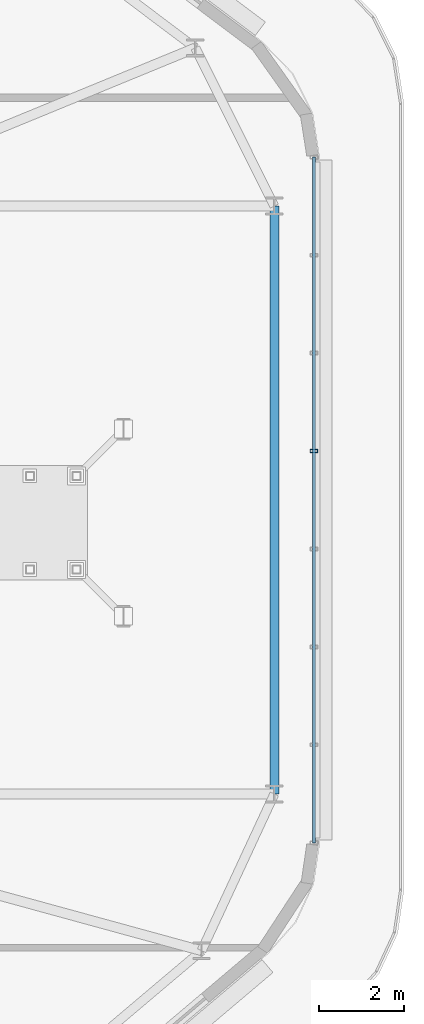
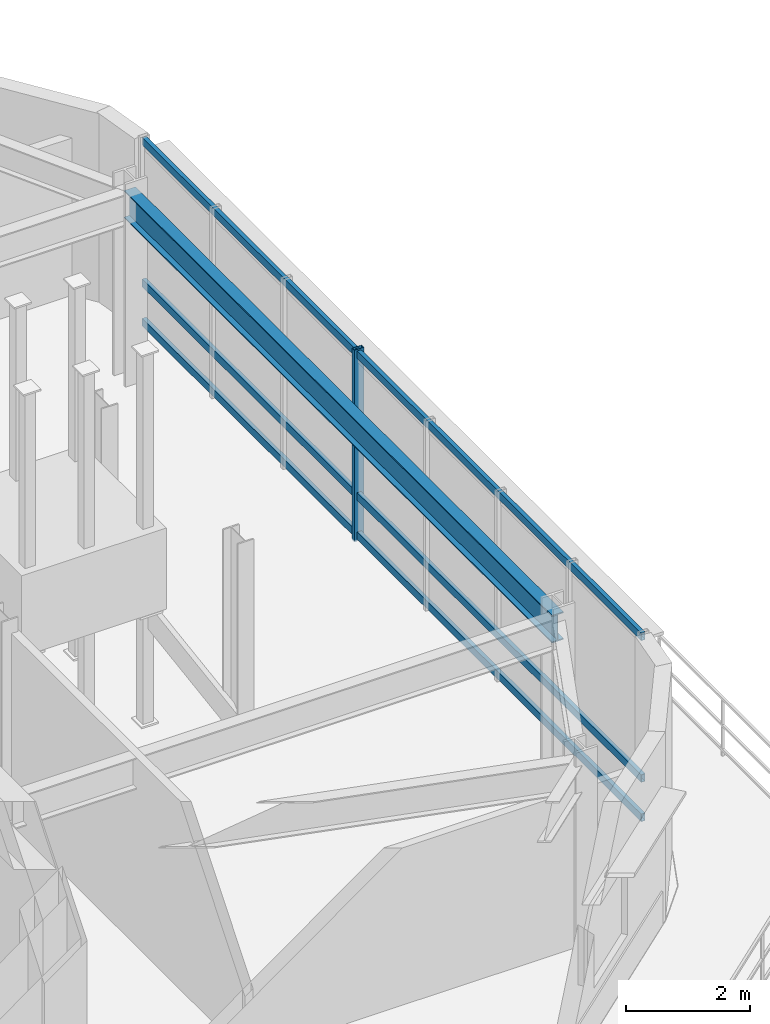
# One storey, part 3 of 13: 4 members, 1 beam, 1 element without a shape of its own.
"""IFC4 building model written with IfcOpenShell, lengths in metres."""

import ifcopenshell
import ifcopenshell.guid

model = None  # the IFC model being written
_history = None  # IfcOwnerHistory: only IFC2X3 demands one
_inside = {}  # id of a spatial element -> (the spatial element, [elements in it])
_under = {}  # id of a project, library or spatial element -> (it, [spatial elements below it])
_declared = {}  # id of a project -> (the project, [libraries it declares])
_typed = {}  # id of a type object -> (the type object, [elements of that type])
_made_of = {}  # id of a material, layer set ... -> (it, [elements and type objects made of it])


def new_model(schema):
    """Start an empty IFC model of exactly this schema.

    Asked for "IFC4X3", IfcOpenShell would pick the latest addendum, in which some entities
    have other attributes; the version numbers below select the first issue.
    IFC2X3 requires an IfcOwnerHistory on every rooted entity: one is made here for all.
    """
    global model, _history
    if schema == "IFC4X3":
        model = ifcopenshell.file(schema_version=(4, 3, 0, 0))
    else:
        model = ifcopenshell.file(schema=schema)
    _inside.clear()
    _under.clear()
    _declared.clear()
    _typed.clear()
    _made_of.clear()
    _history = None
    if model.schema == "IFC2X3":
        org = make("IfcOrganization", Name="unknown")
        user = make(
            "IfcPersonAndOrganization",
            ThePerson=make("IfcPerson", FamilyName="unknown"),
            TheOrganization=org,
        )
        app = make(
            "IfcApplication",
            ApplicationDeveloper=org,
            Version="unknown",
            ApplicationFullName="unknown",
            ApplicationIdentifier="unknown",
        )
        _history = make(
            "IfcOwnerHistory",
            OwningUser=user,
            OwningApplication=app,
            ChangeAction="ADDED",
            CreationDate=0,
        )
    return model


def make(cls, **values):
    """One entity of the class cls with the attributes given. An attribute that is None is left unset."""
    return model.create_entity(
        cls, **{name: value for name, value in values.items() if value is not None}
    )


def rooted(cls, **values):
    """An entity with a GlobalId (a new one), such as an element, a storey or a relation."""
    return make(cls, GlobalId=ifcopenshell.guid.new(), OwnerHistory=_history, **values)


def si_unit(unit_type, name, prefix=None):
    """IfcSIUnit, for example si_unit("LENGTHUNIT", "METRE", prefix="MILLI")."""
    return make("IfcSIUnit", UnitType=unit_type, Prefix=prefix, Name=name)


def assignment(units):
    """IfcUnitAssignment: the units of a project."""
    return None if units is None else make("IfcUnitAssignment", Units=units)


def point(xyz):
    """IfcCartesianPoint."""
    return None if xyz is None else make("IfcCartesianPoint", Coordinates=xyz)


def direction(xyz):
    """IfcDirection."""
    return None if xyz is None else make("IfcDirection", DirectionRatios=xyz)


def frame(location, z_axis=None, x_axis=None):
    """IfcAxis2Placement3D, a coordinate frame: its origin and axes. An axis left out is left unset."""
    return make(
        "IfcAxis2Placement3D",
        Location=point(location),
        Axis=direction(z_axis),
        RefDirection=direction(x_axis),
    )


def frame_2d(location, x_axis=None):
    """IfcAxis2Placement2D, a coordinate frame in the plane: its origin and x axis."""
    return make(
        "IfcAxis2Placement2D", Location=point(location), RefDirection=direction(x_axis)
    )


def origin():
    """The frame at (0, 0, 0) with its axes left unset."""
    return frame((0.0, 0.0, 0.0))


def origin_2d():
    """The frame at (0, 0) in the plane with its x axis left unset."""
    return frame_2d((0.0, 0.0))


def place(relative_to, where):
    """IfcLocalPlacement: puts the frame where relative to a parent placement (None: the world)."""
    return make(
        "IfcLocalPlacement", PlacementRelTo=relative_to, RelativePlacement=where
    )


def context(
    kind, dimensions, precision=None, world=None, true_north=None, identifier=None
):
    """IfcGeometricRepresentationContext, for example the 3D "Model" context."""
    return make(
        "IfcGeometricRepresentationContext",
        ContextIdentifier=identifier,
        ContextType=kind,
        CoordinateSpaceDimension=dimensions,
        Precision=precision,
        WorldCoordinateSystem=world,
        TrueNorth=true_north,
    )


def subcontext(parent, identifier, kind, view, scale=None):
    """IfcGeometricRepresentationSubContext, for example "Body" below "Model"."""
    return make(
        "IfcGeometricRepresentationSubContext",
        ContextIdentifier=identifier,
        ContextType=kind,
        ParentContext=parent,
        TargetScale=scale,
        TargetView=view,
    )


def project(units=None, contexts=None):
    """IfcProject with its units and contexts."""
    return rooted(
        "IfcProject",
        Name="project",
        RepresentationContexts=contexts,
        UnitsInContext=assignment(units),
    )


def spatial(cls, under=None, at=None, **own):
    """A site, building, storey or space (cls), placed at a placement, below another one or the project."""
    s = rooted(cls, ObjectPlacement=at, **own)
    if under is not None:
        _under.setdefault(under.id(), (under, []))[1].append(s)
    return s


def profile(cls, at=None, kind="AREA", **sizes):
    """A parametric profile (cls). Its sizes go by their IFC names, for example OverallWidth=200.0."""
    return make(cls, ProfileType=kind, Position=at, **sizes)


def hollow_rectangle(**sizes):
    """IfcRectangleHollowProfileDef."""
    return profile("IfcRectangleHollowProfileDef", **sizes)


def i_section(**sizes):
    """IfcIShapeProfileDef."""
    return profile("IfcIShapeProfileDef", **sizes)


def extrude(swept, where, along, depth):
    """IfcExtrudedAreaSolid: the profile swept, set in the frame where, extruded along a direction by depth."""
    return make(
        "IfcExtrudedAreaSolid",
        SweptArea=swept,
        Position=where,
        ExtrudedDirection=direction(along),
        Depth=depth,
    )


def shape(context_of_items, identifier, shape_type, items):
    """IfcShapeRepresentation: the items that make up one representation, for example the "Body"."""
    return make(
        "IfcShapeRepresentation",
        ContextOfItems=context_of_items,
        RepresentationIdentifier=identifier,
        RepresentationType=shape_type,
        Items=items,
    )


def material(Name=None, Category=None):
    """IfcMaterial."""
    return make("IfcMaterial", Name=Name, Category=Category)


def material_profile(
    of_material, cross_section, Name=None, Category=None, Priority=None
):
    """IfcMaterialProfile: a cross section and its material."""
    return make(
        "IfcMaterialProfile",
        Name=Name,
        Material=of_material,
        Profile=cross_section,
        Priority=Priority,
        Category=Category,
    )


def profile_set(profiles, Name=None, composite=None):
    """IfcMaterialProfileSet."""
    return make(
        "IfcMaterialProfileSet",
        Name=Name,
        MaterialProfiles=profiles,
        CompositeProfile=composite,
    )


def made_of(thing, what):
    """Note that an element or type object is made of a material, layer set ...; save() writes the relation."""
    if what is not None:
        _made_of.setdefault(what.id(), (what, []))[1].append(thing)
    return thing


def type_object(cls, material=None, **own):
    """A type object (cls), such as IfcWallType, which elements share."""
    return made_of(rooted(cls, **own), material)


def element(
    cls,
    number,
    at=None,
    inside=None,
    cuts=None,
    type_object=None,
    material=None,
    context=None,
    identifier="Body",
    shape_type=None,
    held_by="IfcProductDefinitionShape",
    body=None,
    shapes=None,
    **own,
):
    """One element of the class cls, such as IfcWall. Its Tag is "e" and its number.

    at: its placement. inside: the storey or other place that contains it. cuts: it is an
    opening in that element (IfcRelVoidsElement). A single representation is given by context,
    identifier, shape_type and body (its items); several are given by shapes. held_by: the class
    of the entity that holds the representations. save() writes the other relations.
    """
    e = rooted(cls, Tag="e%d" % number, ObjectPlacement=at, **own)
    if body is not None:
        shapes = [shape(context, identifier, shape_type, body)]
    if shapes is not None:
        e.Representation = make(held_by, Representations=shapes)
    if inside is not None:
        _inside.setdefault(inside.id(), (inside, []))[1].append(e)
    if cuts is not None:
        rooted(
            "IfcRelVoidsElement", RelatingBuildingElement=cuts, RelatedOpeningElement=e
        )
    if type_object is not None:
        _typed.setdefault(type_object.id(), (type_object, []))[1].append(e)
    return made_of(e, material)


def aggregate(whole, parts):
    """IfcRelAggregates: a whole, such as a stair, and the parts it consists of."""
    return rooted("IfcRelAggregates", RelatingObject=whole, RelatedObjects=parts)


def save(model, path):
    """Write the relations noted so far, then the file.

    IfcRelAggregates (storeys below a building ...), IfcRelContainedInSpatialStructure (elements
    in a storey), IfcRelDefinesByType, IfcRelAssociatesMaterial and IfcRelDeclares: one each for
    every whole, place, type object, material and project.
    """
    for whole, parts in _under.values():
        aggregate(whole, parts)
    for where, things in _inside.values():
        rooted(
            "IfcRelContainedInSpatialStructure",
            RelatedElements=things,
            RelatingStructure=where,
        )
    for kind, things in _typed.values():
        rooted("IfcRelDefinesByType", RelatedObjects=things, RelatingType=kind)
    for what, things in _made_of.values():
        rooted("IfcRelAssociatesMaterial", RelatedObjects=things, RelatingMaterial=what)
    for by, libraries in _declared.values():
        rooted("IfcRelDeclares", RelatingContext=by, RelatedDefinitions=libraries)
    model.write(path)


model = new_model("IFC4")

# Units and contexts
model_context = context("Model", 3, precision=1e-05, world=origin(), true_north=direction((0.0, 1.0)))
body_context = subcontext(model_context, "Body", "Model", "MODEL_VIEW")
ifc_project = project(units=[si_unit("LENGTHUNIT", "METRE"), si_unit("AREAUNIT", "SQUARE_METRE"), si_unit("VOLUMEUNIT", "CUBIC_METRE"), si_unit("PLANEANGLEUNIT", "RADIAN"), si_unit("MASSUNIT", "GRAM", prefix="KILO")], contexts=[model_context])

# Site, building, storey
site_placement = place(None, origin())
site = spatial("IfcSite", under=ifc_project, at=site_placement, CompositionType="ELEMENT")
building_placement = place(site_placement, origin())
building = spatial("IfcBuilding", under=site, at=building_placement, Name="Zulverin Broadcast Headquarters", CompositionType="ELEMENT")
storey_placement = place(building_placement, frame((0.0, 0.0, 313.39990234375)))
storey = spatial("IfcBuildingStorey", under=building, at=storey_placement, Name="C1", CompositionType="ELEMENT", Elevation=313.39990234375)

# Beam
ifc_material_1 = material(Name="Structural steel S355JR", Category="steel")
ifc_material_profile_1 = material_profile(ifc_material_1, i_section(OverallWidth=0.2119140625, OverallDepth=0.54443359375, WebThickness=0.0126953125, FlangeThickness=0.021240234375, at=origin_2d()), Name="Structural steel S355JR", Category="steel")
ifc_profile_set_1 = profile_set([ifc_material_profile_1], Name="Structural steel S355JR")
beam_type = type_object("IfcBeamType", Name="BM-UB-533", PredefinedType="SPANDREL", material=ifc_profile_set_1)
beam_placement = place(storey_placement, frame((58.550048828125, 18.819580078125, 3.447998046875), z_axis=(0.0, 1.0, 0.0), x_axis=(-1.0, 0.0, 0.0)))
element("IfcBeam", 1, at=beam_placement, inside=storey, type_object=beam_type, Name="C1 Perimeter Spandrel Beam SP-05", PredefinedType="SPANDREL", context=body_context, shape_type="SweptSolid", body=[
    extrude(i_section(OverallWidth=0.2119140625, OverallDepth=0.54443359375, WebThickness=0.0126953125, FlangeThickness=0.021240234375, at=origin_2d()), origin(), (0.0, 0.0, 1.0), 13.82861328125),
])

# Curtain wall, members
ifc_material_2 = material(Name="Crown damper-hall structural glass curtain wall", Category="glass")
curtain_wall_type = type_object("IfcCurtainWallType", Name="CW-CRN", PredefinedType="USERDEFINED", material=ifc_material_2)
curtain_wall_placement = place(storey_placement, origin())
curtain_wall = element("IfcCurtainWall", 2, at=curtain_wall_placement, inside=storey, type_object=curtain_wall_type, Name="C1 Unitised Curtain Wall CW-C1-E3", ObjectType="UNITISED CURTAIN WALL", PredefinedType="USERDEFINED")
ifc_material_3 = material(Name="Anodized pale-metal aluminium alloy 6063-T6", Category="aluminium")
ifc_material_profile_2 = material_profile(ifc_material_3, hollow_rectangle(XDim=0.074951171875, YDim=0.179931640625, WallThickness=0.0048828125, at=origin_2d()), Name="Anodized pale-metal aluminium alloy 6063-T6", Category="aluminium")
ifc_profile_set_2 = profile_set([ifc_material_profile_2], Name="Anodized pale-metal aluminium alloy 6063-T6")
member_type_1 = type_object("IfcMemberType", Name="CW-MUL-180", PredefinedType="MULLION", material=ifc_profile_set_2)
member_1_placement = place(storey_placement, frame((59.47998046875, 26.885986328125, -0.02978515625), z_axis=(0.0, 0.0, 1.0), x_axis=(0.0, 1.0, 0.0)))
member_1 = element("IfcMember", 3, at=member_1_placement, type_object=member_type_1, Name="CW-C1-E3 Mullion 04", PredefinedType="MULLION", context=body_context, shape_type="SweptSolid", body=[
    extrude(hollow_rectangle(XDim=0.074951171875, YDim=0.179931640625, WallThickness=0.0048828125, at=origin_2d()), origin(), (0.0, 0.0, 1.0), 3.77978515625),
])
ifc_material_profile_3 = material_profile(ifc_material_3, hollow_rectangle(XDim=0.074951171875, YDim=0.14990234375, WallThickness=0.0048828125, at=origin_2d()), Name="Anodized pale-metal aluminium alloy 6063-T6", Category="aluminium")
ifc_profile_set_3 = profile_set([ifc_material_profile_3], Name="Anodized pale-metal aluminium alloy 6063-T6")
member_type_2 = type_object("IfcMemberType", Name="CW-TRN-150", PredefinedType="USERDEFINED", material=ifc_profile_set_3)
member_2_placement = place(storey_placement, frame((59.47998046875, 17.669677734375, 0.0751953125), z_axis=(0.0, 1.0, 0.0), x_axis=(-1.0, 0.0, 0.0)))
member_2 = element("IfcMember", 4, at=member_2_placement, type_object=member_type_2, Name="CW-C1-E3 Transom 0", ObjectType="TRANSOM", PredefinedType="USERDEFINED", context=body_context, shape_type="SweptSolid", body=[
    extrude(hollow_rectangle(XDim=0.074951171875, YDim=0.14990234375, WallThickness=0.0048828125, at=origin_2d()), origin(), (0.0, 0.0, 1.0), 16.128662109375),
])
member_3_placement = place(storey_placement, frame((59.47998046875, 17.669677734375, 0.85009765625), z_axis=(0.0, 1.0, 0.0), x_axis=(-1.0, 0.0, 0.0)))
member_3 = element("IfcMember", 5, at=member_3_placement, type_object=member_type_2, Name="CW-C1-E3 Transom 1", ObjectType="TRANSOM", PredefinedType="USERDEFINED", context=body_context, shape_type="SweptSolid", body=[
    extrude(hollow_rectangle(XDim=0.074951171875, YDim=0.14990234375, WallThickness=0.0048828125, at=origin_2d()), origin(), (0.0, 0.0, 1.0), 16.128662109375),
])
member_4_placement = place(storey_placement, frame((59.47998046875, 17.669677734375, 3.64501953125), z_axis=(0.0, 1.0, 0.0), x_axis=(-1.0, 0.0, 0.0)))
member_4 = element("IfcMember", 6, at=member_4_placement, type_object=member_type_2, Name="CW-C1-E3 Transom 2", ObjectType="TRANSOM", PredefinedType="USERDEFINED", context=body_context, shape_type="SweptSolid", body=[
    extrude(hollow_rectangle(XDim=0.074951171875, YDim=0.14990234375, WallThickness=0.0048828125, at=origin_2d()), origin(), (0.0, 0.0, 1.0), 16.128662109375),
])
aggregate(curtain_wall, [member_1, member_2, member_3, member_4])

save(model, "model.ifc")
